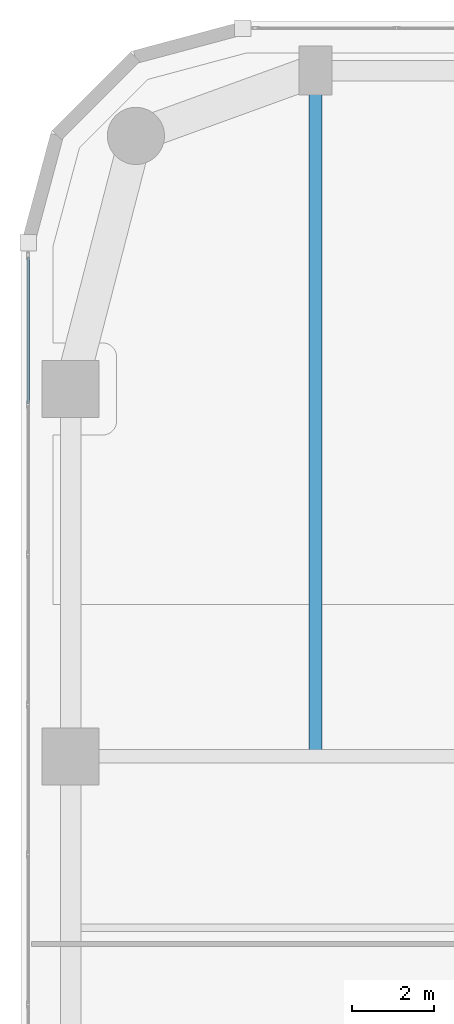
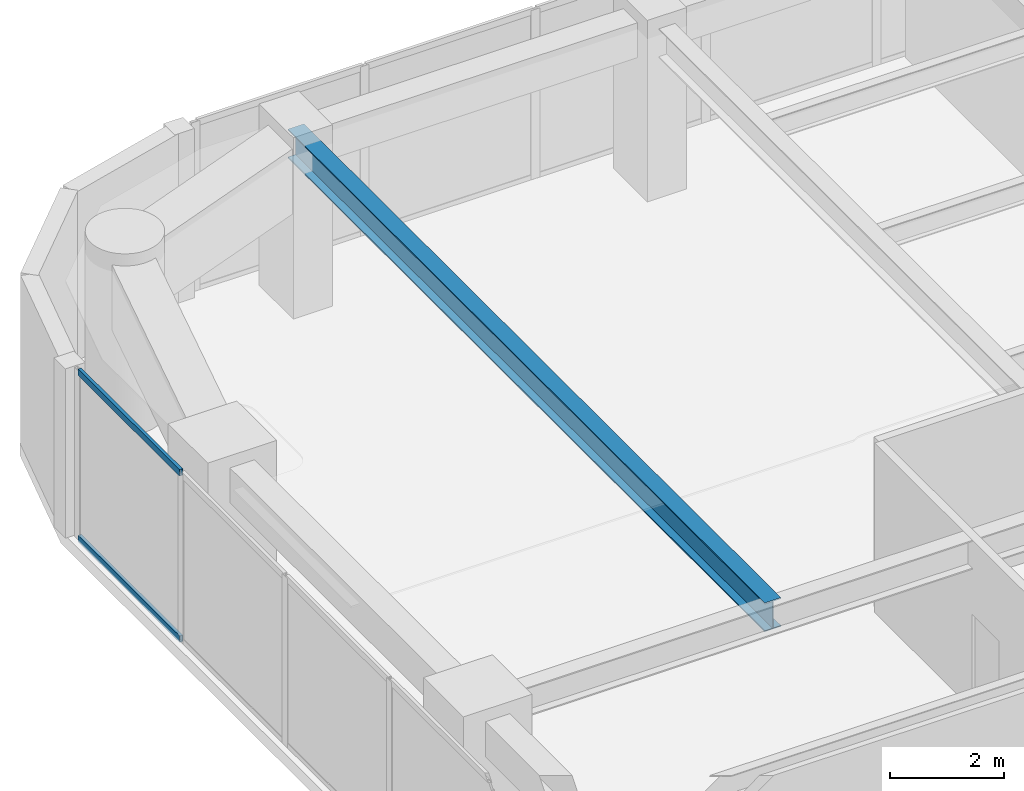
# One storey, part 10 of 24: 2 members, 1 beam, 1 element without a shape of its own.
"""IFC4 building model written with IfcOpenShell, lengths in metres."""

import ifcopenshell
import ifcopenshell.guid

model = None  # the IFC model being written
_history = None  # IfcOwnerHistory: only IFC2X3 demands one
_inside = {}  # id of a spatial element -> (the spatial element, [elements in it])
_under = {}  # id of a project, library or spatial element -> (it, [spatial elements below it])
_declared = {}  # id of a project -> (the project, [libraries it declares])
_typed = {}  # id of a type object -> (the type object, [elements of that type])
_made_of = {}  # id of a material, layer set ... -> (it, [elements and type objects made of it])


def new_model(schema):
    """Start an empty IFC model of exactly this schema.

    Asked for "IFC4X3", IfcOpenShell would pick the latest addendum, in which some entities
    have other attributes; the version numbers below select the first issue.
    IFC2X3 requires an IfcOwnerHistory on every rooted entity: one is made here for all.
    """
    global model, _history
    if schema == "IFC4X3":
        model = ifcopenshell.file(schema_version=(4, 3, 0, 0))
    else:
        model = ifcopenshell.file(schema=schema)
    _inside.clear()
    _under.clear()
    _declared.clear()
    _typed.clear()
    _made_of.clear()
    _history = None
    if model.schema == "IFC2X3":
        org = make("IfcOrganization", Name="unknown")
        user = make(
            "IfcPersonAndOrganization",
            ThePerson=make("IfcPerson", FamilyName="unknown"),
            TheOrganization=org,
        )
        app = make(
            "IfcApplication",
            ApplicationDeveloper=org,
            Version="unknown",
            ApplicationFullName="unknown",
            ApplicationIdentifier="unknown",
        )
        _history = make(
            "IfcOwnerHistory",
            OwningUser=user,
            OwningApplication=app,
            ChangeAction="ADDED",
            CreationDate=0,
        )
    return model


def make(cls, **values):
    """One entity of the class cls with the attributes given. An attribute that is None is left unset."""
    return model.create_entity(
        cls, **{name: value for name, value in values.items() if value is not None}
    )


def rooted(cls, **values):
    """An entity with a GlobalId (a new one), such as an element, a storey or a relation."""
    return make(cls, GlobalId=ifcopenshell.guid.new(), OwnerHistory=_history, **values)


def si_unit(unit_type, name, prefix=None):
    """IfcSIUnit, for example si_unit("LENGTHUNIT", "METRE", prefix="MILLI")."""
    return make("IfcSIUnit", UnitType=unit_type, Prefix=prefix, Name=name)


def assignment(units):
    """IfcUnitAssignment: the units of a project."""
    return None if units is None else make("IfcUnitAssignment", Units=units)


def point(xyz):
    """IfcCartesianPoint."""
    return None if xyz is None else make("IfcCartesianPoint", Coordinates=xyz)


def direction(xyz):
    """IfcDirection."""
    return None if xyz is None else make("IfcDirection", DirectionRatios=xyz)


def frame(location, z_axis=None, x_axis=None):
    """IfcAxis2Placement3D, a coordinate frame: its origin and axes. An axis left out is left unset."""
    return make(
        "IfcAxis2Placement3D",
        Location=point(location),
        Axis=direction(z_axis),
        RefDirection=direction(x_axis),
    )


def frame_2d(location, x_axis=None):
    """IfcAxis2Placement2D, a coordinate frame in the plane: its origin and x axis."""
    return make(
        "IfcAxis2Placement2D", Location=point(location), RefDirection=direction(x_axis)
    )


def origin():
    """The frame at (0, 0, 0) with its axes left unset."""
    return frame((0.0, 0.0, 0.0))


def origin_2d():
    """The frame at (0, 0) in the plane with its x axis left unset."""
    return frame_2d((0.0, 0.0))


def place(relative_to, where):
    """IfcLocalPlacement: puts the frame where relative to a parent placement (None: the world)."""
    return make(
        "IfcLocalPlacement", PlacementRelTo=relative_to, RelativePlacement=where
    )


def context(
    kind, dimensions, precision=None, world=None, true_north=None, identifier=None
):
    """IfcGeometricRepresentationContext, for example the 3D "Model" context."""
    return make(
        "IfcGeometricRepresentationContext",
        ContextIdentifier=identifier,
        ContextType=kind,
        CoordinateSpaceDimension=dimensions,
        Precision=precision,
        WorldCoordinateSystem=world,
        TrueNorth=true_north,
    )


def subcontext(parent, identifier, kind, view, scale=None):
    """IfcGeometricRepresentationSubContext, for example "Body" below "Model"."""
    return make(
        "IfcGeometricRepresentationSubContext",
        ContextIdentifier=identifier,
        ContextType=kind,
        ParentContext=parent,
        TargetScale=scale,
        TargetView=view,
    )


def project(units=None, contexts=None):
    """IfcProject with its units and contexts."""
    return rooted(
        "IfcProject",
        Name="project",
        RepresentationContexts=contexts,
        UnitsInContext=assignment(units),
    )


def spatial(cls, under=None, at=None, **own):
    """A site, building, storey or space (cls), placed at a placement, below another one or the project."""
    s = rooted(cls, ObjectPlacement=at, **own)
    if under is not None:
        _under.setdefault(under.id(), (under, []))[1].append(s)
    return s


def profile(cls, at=None, kind="AREA", **sizes):
    """A parametric profile (cls). Its sizes go by their IFC names, for example OverallWidth=200.0."""
    return make(cls, ProfileType=kind, Position=at, **sizes)


def hollow_rectangle(**sizes):
    """IfcRectangleHollowProfileDef."""
    return profile("IfcRectangleHollowProfileDef", **sizes)


def i_section(**sizes):
    """IfcIShapeProfileDef."""
    return profile("IfcIShapeProfileDef", **sizes)


def extrude(swept, where, along, depth):
    """IfcExtrudedAreaSolid: the profile swept, set in the frame where, extruded along a direction by depth."""
    return make(
        "IfcExtrudedAreaSolid",
        SweptArea=swept,
        Position=where,
        ExtrudedDirection=direction(along),
        Depth=depth,
    )


def shape(context_of_items, identifier, shape_type, items):
    """IfcShapeRepresentation: the items that make up one representation, for example the "Body"."""
    return make(
        "IfcShapeRepresentation",
        ContextOfItems=context_of_items,
        RepresentationIdentifier=identifier,
        RepresentationType=shape_type,
        Items=items,
    )


def material(Name=None, Category=None):
    """IfcMaterial."""
    return make("IfcMaterial", Name=Name, Category=Category)


def layer(
    of_material, thickness, ventilated=None, Name=None, Category=None, Priority=None
):
    """IfcMaterialLayer: one layer of a wall or slab, of a material (None: an air gap)."""
    return make(
        "IfcMaterialLayer",
        Material=of_material,
        LayerThickness=thickness,
        IsVentilated=ventilated,
        Name=Name,
        Category=Category,
        Priority=Priority,
    )


def layer_set(layers, Name=None):
    """IfcMaterialLayerSet."""
    return make("IfcMaterialLayerSet", MaterialLayers=layers, LayerSetName=Name)


def material_profile(
    of_material, cross_section, Name=None, Category=None, Priority=None
):
    """IfcMaterialProfile: a cross section and its material."""
    return make(
        "IfcMaterialProfile",
        Name=Name,
        Material=of_material,
        Profile=cross_section,
        Priority=Priority,
        Category=Category,
    )


def profile_set(profiles, Name=None, composite=None):
    """IfcMaterialProfileSet."""
    return make(
        "IfcMaterialProfileSet",
        Name=Name,
        MaterialProfiles=profiles,
        CompositeProfile=composite,
    )


def made_of(thing, what):
    """Note that an element or type object is made of a material, layer set ...; save() writes the relation."""
    if what is not None:
        _made_of.setdefault(what.id(), (what, []))[1].append(thing)
    return thing


def type_object(cls, material=None, **own):
    """A type object (cls), such as IfcWallType, which elements share."""
    return made_of(rooted(cls, **own), material)


def element(
    cls,
    number,
    at=None,
    inside=None,
    cuts=None,
    type_object=None,
    material=None,
    context=None,
    identifier="Body",
    shape_type=None,
    held_by="IfcProductDefinitionShape",
    body=None,
    shapes=None,
    **own,
):
    """One element of the class cls, such as IfcWall. Its Tag is "e" and its number.

    at: its placement. inside: the storey or other place that contains it. cuts: it is an
    opening in that element (IfcRelVoidsElement). A single representation is given by context,
    identifier, shape_type and body (its items); several are given by shapes. held_by: the class
    of the entity that holds the representations. save() writes the other relations.
    """
    e = rooted(cls, Tag="e%d" % number, ObjectPlacement=at, **own)
    if body is not None:
        shapes = [shape(context, identifier, shape_type, body)]
    if shapes is not None:
        e.Representation = make(held_by, Representations=shapes)
    if inside is not None:
        _inside.setdefault(inside.id(), (inside, []))[1].append(e)
    if cuts is not None:
        rooted(
            "IfcRelVoidsElement", RelatingBuildingElement=cuts, RelatedOpeningElement=e
        )
    if type_object is not None:
        _typed.setdefault(type_object.id(), (type_object, []))[1].append(e)
    return made_of(e, material)


def aggregate(whole, parts):
    """IfcRelAggregates: a whole, such as a stair, and the parts it consists of."""
    return rooted("IfcRelAggregates", RelatingObject=whole, RelatedObjects=parts)


def save(model, path):
    """Write the relations noted so far, then the file.

    IfcRelAggregates (storeys below a building ...), IfcRelContainedInSpatialStructure (elements
    in a storey), IfcRelDefinesByType, IfcRelAssociatesMaterial and IfcRelDeclares: one each for
    every whole, place, type object, material and project.
    """
    for whole, parts in _under.values():
        aggregate(whole, parts)
    for where, things in _inside.values():
        rooted(
            "IfcRelContainedInSpatialStructure",
            RelatedElements=things,
            RelatingStructure=where,
        )
    for kind, things in _typed.values():
        rooted("IfcRelDefinesByType", RelatedObjects=things, RelatingType=kind)
    for what, things in _made_of.values():
        rooted("IfcRelAssociatesMaterial", RelatedObjects=things, RelatingMaterial=what)
    for by, libraries in _declared.values():
        rooted("IfcRelDeclares", RelatingContext=by, RelatedDefinitions=libraries)
    model.write(path)


model = new_model("IFC4")

# Units and contexts
model_context = context("Model", 3, precision=1e-05, world=origin(), true_north=direction((0.0, 1.0)))
body_context = subcontext(model_context, "Body", "Model", "MODEL_VIEW")
ifc_project = project(units=[si_unit("LENGTHUNIT", "METRE"), si_unit("AREAUNIT", "SQUARE_METRE"), si_unit("VOLUMEUNIT", "CUBIC_METRE"), si_unit("PLANEANGLEUNIT", "RADIAN"), si_unit("MASSUNIT", "GRAM", prefix="KILO")], contexts=[model_context])

# Site, building, storey
site_placement = place(None, origin())
site = spatial("IfcSite", under=ifc_project, at=site_placement, CompositionType="ELEMENT")
building_placement = place(site_placement, origin())
building = spatial("IfcBuilding", under=site, at=building_placement, Name="Kiyonajd Concourse Tower", CompositionType="ELEMENT")
storey_placement = place(building_placement, frame((0.0, 0.0, 93.60009765625)))
storey = spatial("IfcBuildingStorey", under=building, at=storey_placement, Name="L24", CompositionType="ELEMENT", Elevation=93.60009765625)

# Beam
ifc_material_1 = material(Name="Steel ASTM A992 Grade 50", Category="steel")
ifc_material_profile_1 = material_profile(ifc_material_1, i_section(OverallWidth=0.326904296875, OverallDepth=0.6220703125, WebThickness=0.015380859375, FlangeThickness=0.0244140625, at=origin_2d()), Name="W610X195")
ifc_profile_set_1 = profile_set([ifc_material_profile_1], Name="Steel ASTM A992 Grade 50")
beam_type = type_object("IfcBeamType", Name="BM-TWR-610A", PredefinedType="BEAM", material=ifc_profile_set_1)
beam_placement = place(storey_placement, frame((25.199951171875, 44.39990234375, 3.328857421875), z_axis=(0.0, 1.0, 0.0), x_axis=(-1.0, 0.0, 0.0)))
element("IfcBeam", 1, at=beam_placement, inside=storey, type_object=beam_type, Name="L24 North Lease Girder", PredefinedType="BEAM", context=body_context, shape_type="SweptSolid", body=[
    extrude(i_section(OverallWidth=0.326904296875, OverallDepth=0.6220703125, WebThickness=0.015380859375, FlangeThickness=0.0244140625, at=origin_2d()), origin(), (0.0, 0.0, 1.0), 16.800048828125),
])

# Curtain wall, members
ifc_material_2 = material(Name="Thermally Broken Anodised Aluminium", Category="aluminium")
ifc_layer = layer(ifc_material_2, 0.179931640625)
ifc_layer_set = layer_set([ifc_layer], Name="Thermally Broken Anodised Aluminium")
curtain_wall_type = type_object("IfcCurtainWallType", Name="CW-SYS-03", PredefinedType="NOTDEFINED", material=ifc_layer_set)
curtain_wall_placement = place(storey_placement, origin())
curtain_wall = element("IfcCurtainWall", 2, at=curtain_wall_placement, inside=storey, type_object=curtain_wall_type, Name="L24 Unitised Curtain Wall CW3", PredefinedType="NOTDEFINED")
ifc_material_profile_2 = material_profile(ifc_material_2, hollow_rectangle(XDim=0.06494140625, YDim=0.139892578125, WallThickness=0.00390625, at=origin_2d()), Name="TRAN-65x140")
ifc_profile_set_2 = profile_set([ifc_material_profile_2], Name="Thermally Broken Anodised Aluminium")
member_type = type_object("IfcMemberType", Name="MB-CW-TRAN1", PredefinedType="USERDEFINED", material=ifc_profile_set_2)
member_1_placement = place(storey_placement, frame((18.159912109375, 53.04833984375, 0.032470703125), z_axis=(0.0, 1.0, 0.0), x_axis=(-1.0, 0.0, 0.0)))
member_1 = element("IfcMember", 3, at=member_1_placement, type_object=member_type, Name="CW3 transom 6.1", ObjectType="TRANSOM", PredefinedType="USERDEFINED", context=body_context, shape_type="SweptSolid", body=[
    extrude(hollow_rectangle(XDim=0.06494140625, YDim=0.139892578125, WallThickness=0.00390625, at=origin_2d()), origin(), (0.0, 0.0, 1.0), 3.575439453125),
])
member_2_placement = place(storey_placement, frame((18.159912109375, 53.04833984375, 3.607421875), z_axis=(0.0, 1.0, 0.0), x_axis=(-1.0, 0.0, 0.0)))
member_2 = element("IfcMember", 4, at=member_2_placement, type_object=member_type, Name="CW3 transom 6.2", ObjectType="TRANSOM", PredefinedType="USERDEFINED", context=body_context, shape_type="SweptSolid", body=[
    extrude(hollow_rectangle(XDim=0.06494140625, YDim=0.139892578125, WallThickness=0.00390625, at=origin_2d()), origin(), (0.0, 0.0, 1.0), 3.575439453125),
])
aggregate(curtain_wall, [member_1, member_2])

save(model, "model.ifc")
